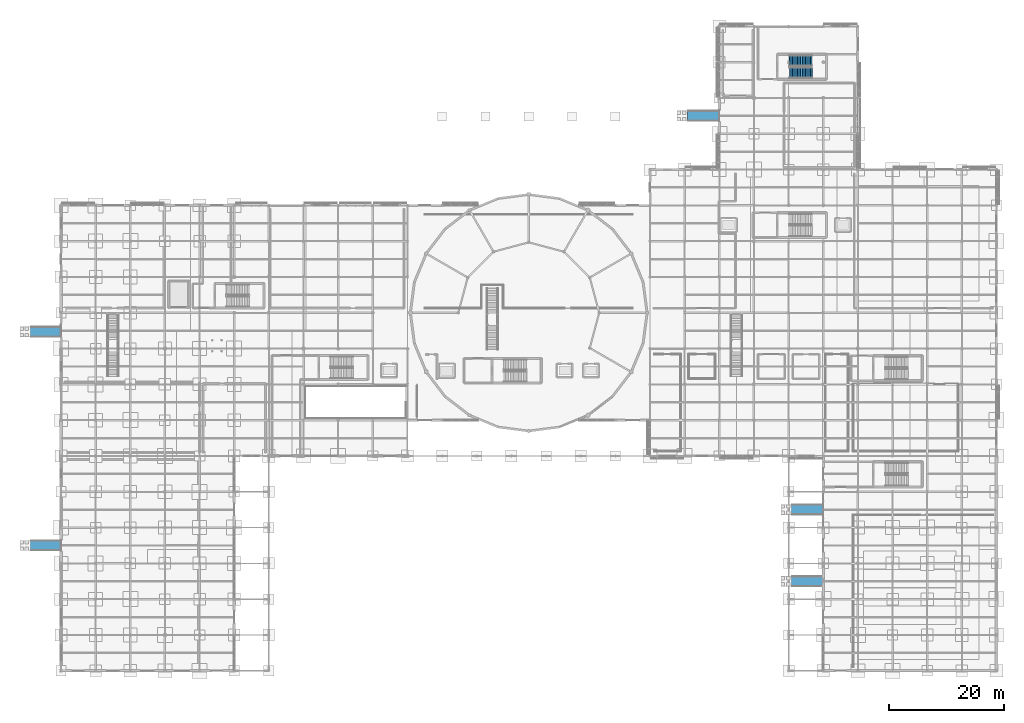
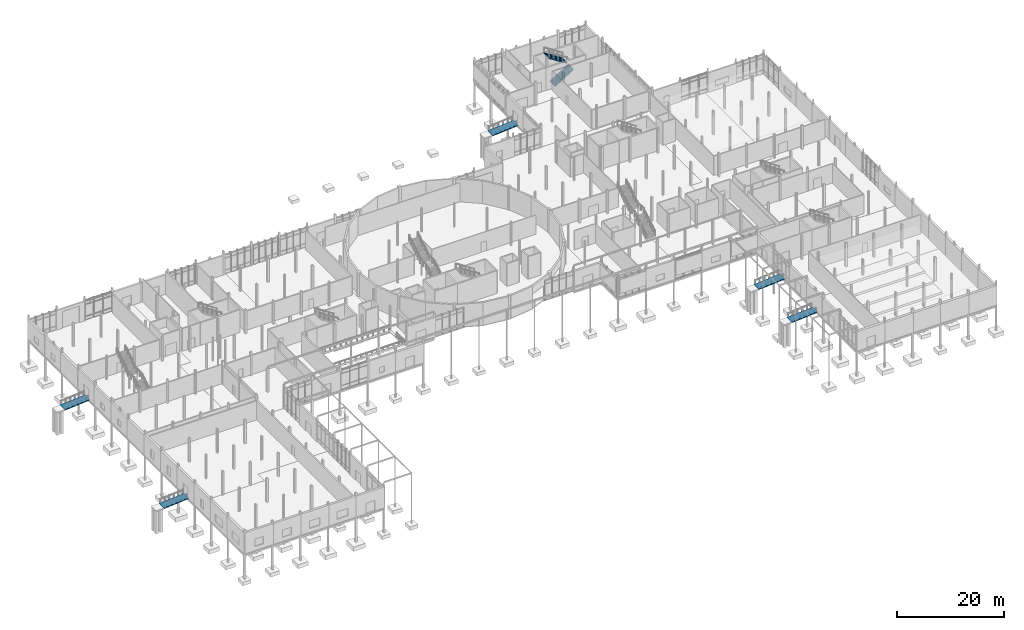
# One storey, part 76 of 98: 5 ramp flights, 2 stair flights, 6 elements without a shape of their own.
"""IFC4 building model written with IfcOpenShell, lengths in metres."""

from ifc_helpers import new_model, si_unit, direction, frame, origin, place, context, subcontext, project, spatial, polyline, outline, extrude, material, layer, layer_set, type_object, element, aggregate, save


model = new_model("IFC4")

# Units and contexts
model_context = context("Model", 3, precision=1e-05, world=origin(), true_north=direction((0.0, 1.0)))
body_context = subcontext(model_context, "Body", "Model", "MODEL_VIEW")
ifc_project = project(units=[si_unit("LENGTHUNIT", "METRE"), si_unit("AREAUNIT", "SQUARE_METRE"), si_unit("VOLUMEUNIT", "CUBIC_METRE"), si_unit("PLANEANGLEUNIT", "RADIAN"), si_unit("MASSUNIT", "GRAM", prefix="KILO")], contexts=[model_context])

# Site, building, storey
site_placement = place(None, origin())
site = spatial("IfcSite", under=ifc_project, at=site_placement, CompositionType="ELEMENT")
building_placement = place(site_placement, origin())
building = spatial("IfcBuilding", under=site, at=building_placement, Name="Mirzam Square Science Centre", CompositionType="ELEMENT")
storey_placement = place(building_placement, origin())
storey = spatial("IfcBuildingStorey", under=building, at=storey_placement, Name="L00", CompositionType="ELEMENT", Elevation=0.0)

# Stair, stair flights
ifc_material = material(Name="Concrete C40/50", Category="concrete")
stair_type = type_object("IfcStairType", Name="ST-CORE-7-540", PredefinedType="HALF_TURN_STAIR", material=ifc_material)
stair_placement = place(storey_placement, origin())
stair = element("IfcStair", 1, at=stair_placement, inside=storey, type_object=stair_type, Name="L00 ST-11", PredefinedType="HALF_TURN_STAIR")
stair_flight_type = type_object("IfcStairFlightType", Name="STF-CORE-7-30R", PredefinedType="STRAIGHT", material=ifc_material)
stair_flight_1_placement = place(storey_placement, frame((126.1298828125, 103.56494140625, 0.0), z_axis=(0.0, 0.0, 1.0), x_axis=(1.0, 0.0, 0.0)))
stair_flight_1 = element("IfcStairFlight", 2, at=stair_flight_1_placement, type_object=stair_flight_type, Name="ST-11 flight 1", NumberOfRisers=15, NumberOfTreads=14, PredefinedType="STRAIGHT", RiserHeight=0.18, TreadLength=0.28, context=body_context, shape_type="SweptSolid", body=[
    extrude(outline(polyline([(0.0, 0.0), (0.0, 0.179931640625), (0.280029296875, 0.179931640625), (0.280029296875, 0.360107421875), (0.56005859375, 0.360107421875), (0.56005859375, 0.5400390625), (0.840087890625, 0.5400390625), (0.840087890625, 0.719970703125), (1.1201171875, 0.719970703125), (1.1201171875, 0.89990234375), (1.39990234375, 0.89990234375), (1.39990234375, 1.080078125), (1.679931640625, 1.080078125), (1.679931640625, 1.260009765625), (1.9599609375, 1.260009765625), (1.9599609375, 1.43994140625), (2.239990234375, 1.43994140625), (2.239990234375, 1.6201171875), (2.52001953125, 1.6201171875), (2.52001953125, 1.800048828125), (2.800048828125, 1.800048828125), (2.800048828125, 1.97998046875), (3.080078125, 1.97998046875), (3.080078125, 2.159912109375), (3.360107421875, 2.159912109375), (3.360107421875, 2.340087890625), (3.639892578125, 2.340087890625), (3.639892578125, 2.52001953125), (3.919921875, 2.52001953125), (3.919921875, 2.699951171875), (4.0, 2.699951171875), (4.0, 2.550048828125), (3.919921875, 2.341796875), (0.277099609375, 0.0), (0.0, 0.0)])), frame((0.0, 0.96484375, 0.0), z_axis=(0.0, -1.0, 0.0), x_axis=(1.0, 0.0, 0.0)), (0.0, 0.0, 1.0), 1.929931640625),
])
stair_flight_2_placement = place(storey_placement, frame((130.050048828125, 105.64501953125, 2.699951171875), z_axis=(0.0, 0.0, 1.0), x_axis=(-1.0, 0.0, 0.0)))
stair_flight_2 = element("IfcStairFlight", 3, at=stair_flight_2_placement, type_object=stair_flight_type, Name="ST-11 flight 2", NumberOfRisers=15, NumberOfTreads=14, PredefinedType="STRAIGHT", RiserHeight=0.18, TreadLength=0.28, context=body_context, shape_type="SweptSolid", body=[
    extrude(outline(polyline([(0.0, 0.0), (0.0, 0.179931640625), (0.280029296875, 0.179931640625), (0.280029296875, 0.360107421875), (0.56005859375, 0.360107421875), (0.56005859375, 0.5400390625), (0.840087890625, 0.5400390625), (0.840087890625, 0.719970703125), (1.1201171875, 0.719970703125), (1.1201171875, 0.89990234375), (1.39990234375, 0.89990234375), (1.39990234375, 1.080078125), (1.679931640625, 1.080078125), (1.679931640625, 1.260009765625), (1.9599609375, 1.260009765625), (1.9599609375, 1.43994140625), (2.239990234375, 1.43994140625), (2.239990234375, 1.6201171875), (2.52001953125, 1.6201171875), (2.52001953125, 1.800048828125), (2.800048828125, 1.800048828125), (2.800048828125, 1.97998046875), (3.080078125, 1.97998046875), (3.080078125, 2.159912109375), (3.360107421875, 2.159912109375), (3.360107421875, 2.340087890625), (3.639892578125, 2.340087890625), (3.639892578125, 2.52001953125), (3.919921875, 2.52001953125), (3.919921875, 2.699951171875), (4.0, 2.699951171875), (4.0, 2.550048828125), (3.919921875, 2.341796875), (0.277099609375, 0.0), (0.0, 0.0)])), frame((0.0, 0.96484375, 0.0), z_axis=(0.0, -1.0, 0.0), x_axis=(1.0, 0.0, 0.0)), (0.0, 0.0, 1.0), 1.929931640625),
])
aggregate(stair, [stair_flight_1, stair_flight_2])

# Ramp, ramp flight
ramp_type = type_object("IfcRampType", Name="RMP-PED-12", PredefinedType="STRAIGHT_RUN_RAMP", material=ifc_material)
ramp_1_placement = place(storey_placement, origin())
ramp_1 = element("IfcRamp", 4, at=ramp_1_placement, inside=storey, type_object=ramp_type, Name="Accessible 1:12 entry ramp RAMP-PED-01", PredefinedType="STRAIGHT_RUN_RAMP")
ifc_layer = layer(ifc_material, 0.199951171875)
ifc_layer_set = layer_set([ifc_layer], Name="RFL-PED-200")
ramp_flight_type = type_object("IfcRampFlightType", Name="RFL-PED-200", PredefinedType="STRAIGHT", material=ifc_layer_set)
ramp_flight_1_placement = place(storey_placement, frame((126.449951171875, 14.60009765625, -0.449951171875), z_axis=(-0.080088925488, 0.0, 0.996787722644), x_axis=(0.996787722644, 0.0, 0.080088925488)))
ramp_flight_1 = element("IfcRampFlight", 5, at=ramp_flight_1_placement, type_object=ramp_flight_type, Name="RAMP-PED-01 1:12 flight", PredefinedType="STRAIGHT", context=body_context, shape_type="SweptSolid", body=[
    extrude(outline(polyline([(0.0, 0.0), (5.618144695236002, 0.0), (5.618144695236002, 1.7998046875000004), (0.0, 1.7998046875000004), (0.0, 0.0)])), origin(), (0.0, 0.0, -1.0), 0.199951171875),
])
aggregate(ramp_1, [ramp_flight_1])

ramp_2_placement = place(storey_placement, origin())
ramp_2 = element("IfcRamp", 6, at=ramp_2_placement, inside=storey, type_object=ramp_type, Name="Accessible 1:12 entry ramp RAMP-PED-02", PredefinedType="STRAIGHT_RUN_RAMP")
ramp_flight_2_placement = place(storey_placement, frame((126.449951171875, 27.0, -0.449951171875), z_axis=(-0.080088925488, 0.0, 0.996787722644), x_axis=(0.996787722644, 0.0, 0.080088925488)))
ramp_flight_2 = element("IfcRampFlight", 7, at=ramp_flight_2_placement, type_object=ramp_flight_type, Name="RAMP-PED-02 1:12 flight", PredefinedType="STRAIGHT", context=body_context, shape_type="SweptSolid", body=[
    extrude(outline(polyline([(0.0, 0.0), (5.618144695236002, 0.0), (5.618144695236002, 1.8000488281250004), (0.0, 1.8000488281250004), (0.0, 0.0)])), origin(), (0.0, 0.0, -1.0), 0.199951171875),
])
aggregate(ramp_2, [ramp_flight_2])

ramp_3_placement = place(storey_placement, origin())
ramp_3 = element("IfcRamp", 8, at=ramp_3_placement, inside=storey, type_object=ramp_type, Name="Accessible 1:12 entry ramp RAMP-PED-03", PredefinedType="STRAIGHT_RUN_RAMP")
ramp_flight_3_placement = place(storey_placement, frame((-5.35009765625, 57.800048828125, -0.449951171875), z_axis=(-0.083034294059, 0.0, 0.996546690331), x_axis=(0.996546690331, 0.0, 0.083034294059)))
ramp_flight_3 = element("IfcRampFlight", 9, at=ramp_flight_3_placement, type_object=ramp_flight_type, Name="RAMP-PED-03 1:12 flight", PredefinedType="STRAIGHT", context=body_context, shape_type="SweptSolid", body=[
    extrude(outline(polyline([(0.0, 0.0), (5.418859484225381, 0.0), (5.418859484225381, 1.800048828125), (0.0, 1.800048828125), (0.0, 0.0)])), origin(), (0.0, 0.0, -1.0), 0.199951171875),
])
aggregate(ramp_3, [ramp_flight_3])

ramp_4_placement = place(storey_placement, origin())
ramp_4 = element("IfcRamp", 10, at=ramp_4_placement, inside=storey, type_object=ramp_type, Name="Accessible 1:12 entry ramp RAMP-PED-04", PredefinedType="STRAIGHT_RUN_RAMP")
ramp_flight_4_placement = place(storey_placement, frame((-5.35009765625, 20.800048828125, -0.449951171875), z_axis=(-0.083034294059, 0.0, 0.996546690331), x_axis=(0.996546690331, 0.0, 0.083034294059)))
ramp_flight_4 = element("IfcRampFlight", 11, at=ramp_flight_4_placement, type_object=ramp_flight_type, Name="RAMP-PED-04 1:12 flight", PredefinedType="STRAIGHT", context=body_context, shape_type="SweptSolid", body=[
    extrude(outline(polyline([(0.0, 0.0), (5.418859484225381, 0.0), (5.418859484225381, 1.800048828125), (0.0, 1.800048828125), (0.0, 0.0)])), origin(), (0.0, 0.0, -1.0), 0.199951171875),
])
aggregate(ramp_4, [ramp_flight_4])

ramp_5_placement = place(storey_placement, origin())
ramp_5 = element("IfcRamp", 12, at=ramp_5_placement, inside=storey, type_object=ramp_type, Name="Accessible 1:12 entry ramp RAMP-PED-05", PredefinedType="STRAIGHT_RUN_RAMP")
ramp_flight_5_placement = place(storey_placement, frame((108.449951171875, 95.199951171875, -0.449951171875), z_axis=(-0.080088925488, 0.0, 0.996787722644), x_axis=(0.996787722644, 0.0, 0.080088925488)))
ramp_flight_5 = element("IfcRampFlight", 13, at=ramp_flight_5_placement, type_object=ramp_flight_type, Name="RAMP-PED-05 1:12 flight", PredefinedType="STRAIGHT", context=body_context, shape_type="SweptSolid", body=[
    extrude(outline(polyline([(0.0, 0.0), (5.618144695236002, 0.0), (5.618144695236002, 1.8000488281250004), (0.0, 1.8000488281250004), (0.0, 0.0)])), origin(), (0.0, 0.0, -1.0), 0.199951171875),
])
aggregate(ramp_5, [ramp_flight_5])

save(model, "model.ifc")
